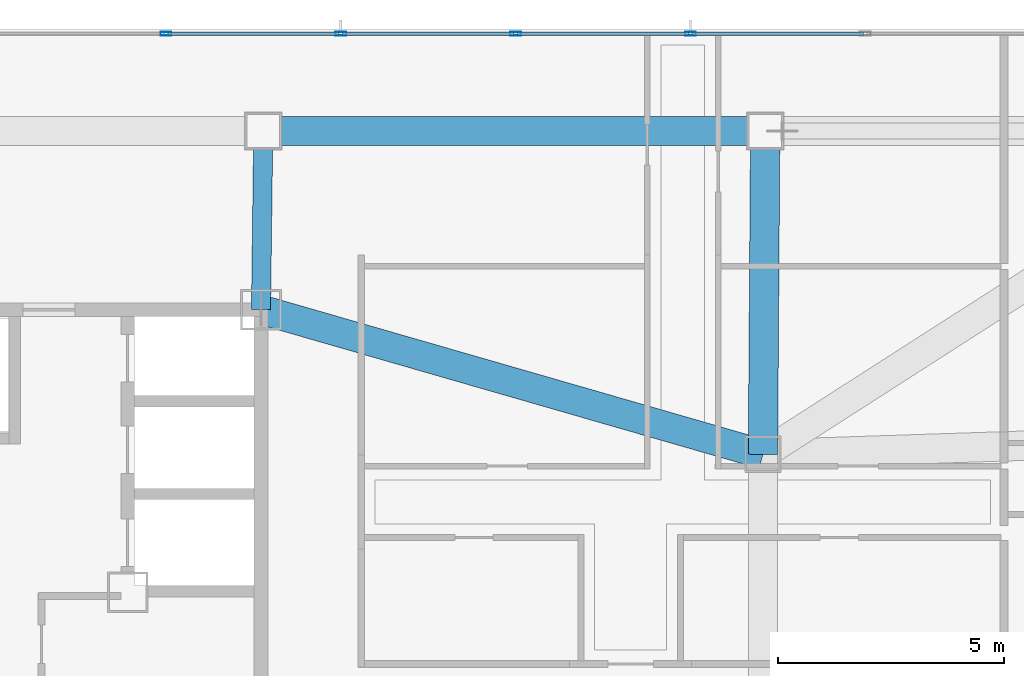
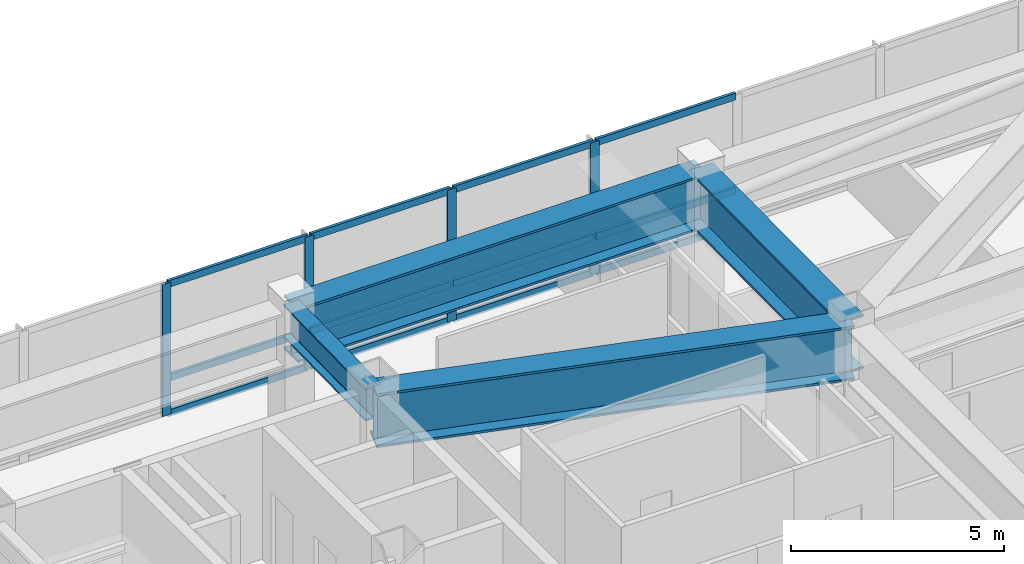
# One storey, part 4 of 16: 16 members, 4 beams, 1 element without a shape of its own.
"""IFC4 building model written with IfcOpenShell, lengths in metres."""

from ifc_helpers import new_model, si_unit, direction, frame, origin, origin_2d, place, context, subcontext, project, spatial, hollow_rectangle, i_section, extrude, material, material_profile, profile_set, type_object, element, aggregate, save


model = new_model("IFC4")

# Units and contexts
model_context = context("Model", 3, precision=1e-05, world=origin(), true_north=direction((0.0, 1.0)))
body_context = subcontext(model_context, "Body", "Model", "MODEL_VIEW")
ifc_project = project(units=[si_unit("LENGTHUNIT", "METRE"), si_unit("AREAUNIT", "SQUARE_METRE"), si_unit("VOLUMEUNIT", "CUBIC_METRE"), si_unit("PLANEANGLEUNIT", "RADIAN"), si_unit("MASSUNIT", "GRAM", prefix="KILO")], contexts=[model_context])

# Site, building, storey
site_placement = place(None, origin())
site = spatial("IfcSite", under=ifc_project, at=site_placement, CompositionType="ELEMENT")
building_placement = place(site_placement, origin())
building = spatial("IfcBuilding", under=site, at=building_placement, Name="Khamvora Tower", CompositionType="ELEMENT")
storey_placement = place(building_placement, frame((0.0, 0.0, 273.64990234375)))
storey = spatial("IfcBuildingStorey", under=building, at=storey_placement, Name="L70", CompositionType="ELEMENT", Elevation=273.64990234375)

# Beams
ifc_material_1 = material(Name="Steel S460", Category="steel")
ifc_material_profile_1 = material_profile(ifc_material_1, i_section(OverallWidth=0.64990234375, OverallDepth=1.550048828125, WebThickness=0.0400390625, FlangeThickness=0.06494140625, at=origin_2d()), Name="PG1550x650x40x65")
ifc_profile_set_1 = profile_set([ifc_material_profile_1], Name="Steel S460")
beam_type_1 = type_object("IfcBeamType", Name="BM-TG-PG1800", PredefinedType="BEAM", material=ifc_profile_set_1)
beam_1_placement = place(storey_placement, frame((50.550048828125, 40.949951171875, 3.005126953125), z_axis=(-1.0, 0.0, 0.0), x_axis=(0.0, -1.0, 0.0)))
element("IfcBeam", 1, at=beam_1_placement, inside=storey, type_object=beam_type_1, Name="L70 perimeter spandrel beam N3-N2", PredefinedType="BEAM", context=body_context, shape_type="SweptSolid", body=[
    extrude(i_section(OverallWidth=0.64990234375, OverallDepth=1.550048828125, WebThickness=0.0400390625, FlangeThickness=0.06494140625, at=origin_2d()), origin(), (0.0, 0.0, 1.0), 11.10009765625),
])
beam_2_placement = place(storey_placement, frame((50.5, 33.800048828125, 3.005126953125), z_axis=(0.006999760219, 0.999975501378, 0.0), x_axis=(-0.999975501378, 0.006999760219, 0.0)))
element("IfcBeam", 2, at=beam_2_placement, inside=storey, type_object=beam_type_1, Name="L70 primary floor girder N3", PredefinedType="BEAM", context=body_context, shape_type="SweptSolid", body=[
    extrude(i_section(OverallWidth=0.64990234375, OverallDepth=1.550048828125, WebThickness=0.0400390625, FlangeThickness=0.06494140625, at=origin_2d()), origin(), (0.0, 0.0, 1.0), 7.150146484375),
])
beam_3_placement = place(storey_placement, frame((39.39990234375, 37.0, 3.005126953125), z_axis=(0.960869684076, -0.277000812677, 0.0), x_axis=(0.277000812677, 0.960869684076, 0.0)))
element("IfcBeam", 3, at=beam_3_placement, inside=storey, type_object=beam_type_1, Name="L70 primary floor girder M2", PredefinedType="BEAM", context=body_context, shape_type="SweptSolid", body=[
    extrude(i_section(OverallWidth=0.64990234375, OverallDepth=1.550048828125, WebThickness=0.0400390625, FlangeThickness=0.06494140625, at=origin_2d()), origin(), (0.0, 0.0, 1.0), 11.55224609375),
])
ifc_material_profile_2 = material_profile(ifc_material_1, i_section(OverallWidth=0.423095703125, OverallDepth=0.93310546875, WebThickness=0.02392578125, FlangeThickness=0.04296875, FilletRadius=0.02001953125, at=origin_2d()), Name="W920x446")
ifc_profile_set_2 = profile_set([ifc_material_profile_2], Name="Steel S460")
beam_type_2 = type_object("IfcBeamType", Name="BM-TL-900", PredefinedType="BEAM", material=ifc_profile_set_2)
beam_4_placement = place(storey_placement, frame((39.39990234375, 37.0, 3.314208984375), z_axis=(0.012669729021, 0.999919735762, 0.0), x_axis=(-0.999919735762, 0.012669729021, 0.0)))
element("IfcBeam", 4, at=beam_4_placement, inside=storey, type_object=beam_type_2, Name="L70 primary floor girder N2", PredefinedType="BEAM", context=body_context, shape_type="SweptSolid", body=[
    extrude(i_section(OverallWidth=0.423095703125, OverallDepth=0.93310546875, WebThickness=0.02392578125, FlangeThickness=0.04296875, FilletRadius=0.02001953125, at=origin_2d()), origin(), (0.0, 0.0, 1.0), 3.9501953125),
])

# Curtain wall, members
ifc_material_2 = material(Name="Anodised Aluminium 6063-T6", Category="aluminium")
curtain_wall_type = type_object("IfcCurtainWallType", Name="CW-SYS-06", PredefinedType="NOTDEFINED", material=ifc_material_2)
curtain_wall_placement = place(storey_placement, origin())
curtain_wall = element("IfcCurtainWall", 5, at=curtain_wall_placement, inside=storey, type_object=curtain_wall_type, Name="L70 stick curtain wall 07.1", PredefinedType="NOTDEFINED")
ifc_material_profile_3 = material_profile(ifc_material_2, hollow_rectangle(XDim=0.080078125, YDim=0.239990234375, WallThickness=0.0048828125, at=origin_2d()), Name="MUL80x240x5")
ifc_profile_set_3 = profile_set([ifc_material_profile_3], Name="Anodised Aluminium 6063-T6")
member_type_1 = type_object("IfcMemberType", Name="CW-SYS-06-MUL", PredefinedType="MULLION", material=ifc_profile_set_3)
member_1_placement = place(storey_placement, frame((37.299072265625, 43.10009765625, 0.0), z_axis=(0.0, 0.0, 1.0), x_axis=(0.0, 1.0, 0.0)))
member_1 = element("IfcMember", 6, at=member_1_placement, type_object=member_type_1, Name="CW-06 mullion 4", PredefinedType="MULLION", context=body_context, shape_type="SweptSolid", body=[
    extrude(hollow_rectangle(XDim=0.080078125, YDim=0.239990234375, WallThickness=0.0048828125, at=origin_2d()), origin(), (0.0, 0.0, 1.0), 3.780029296875),
])
member_2_placement = place(storey_placement, frame((41.164794921875, 43.10009765625, 0.0), z_axis=(0.0, 0.0, 1.0), x_axis=(0.0, 1.0, 0.0)))
member_2 = element("IfcMember", 7, at=member_2_placement, type_object=member_type_1, Name="CW-06 mullion 5", PredefinedType="MULLION", context=body_context, shape_type="SweptSolid", body=[
    extrude(hollow_rectangle(XDim=0.080078125, YDim=0.239990234375, WallThickness=0.0048828125, at=origin_2d()), origin(), (0.0, 0.0, 1.0), 3.780029296875),
])
member_3_placement = place(storey_placement, frame((45.030517578125, 43.10009765625, 0.0), z_axis=(0.0, 0.0, 1.0), x_axis=(0.0, 1.0, 0.0)))
member_3 = element("IfcMember", 8, at=member_3_placement, type_object=member_type_1, Name="CW-06 mullion 6", PredefinedType="MULLION", context=body_context, shape_type="SweptSolid", body=[
    extrude(hollow_rectangle(XDim=0.080078125, YDim=0.239990234375, WallThickness=0.0048828125, at=origin_2d()), origin(), (0.0, 0.0, 1.0), 3.780029296875),
])
member_4_placement = place(storey_placement, frame((48.896240234375, 43.10009765625, 0.0), z_axis=(0.0, 0.0, 1.0), x_axis=(0.0, 1.0, 0.0)))
member_4 = element("IfcMember", 9, at=member_4_placement, type_object=member_type_1, Name="CW-06 mullion 7", PredefinedType="MULLION", context=body_context, shape_type="SweptSolid", body=[
    extrude(hollow_rectangle(XDim=0.080078125, YDim=0.239990234375, WallThickness=0.0048828125, at=origin_2d()), origin(), (0.0, 0.0, 1.0), 3.780029296875),
])
ifc_material_profile_4 = material_profile(ifc_material_2, hollow_rectangle(XDim=0.080078125, YDim=0.195068359375, WallThickness=0.0048828125, at=origin_2d()), Name="TRN80x195x5")
ifc_profile_set_4 = profile_set([ifc_material_profile_4], Name="Anodised Aluminium 6063-T6")
member_type_2 = type_object("IfcMemberType", Name="CW-SYS-06-TRN", PredefinedType="USERDEFINED", material=ifc_profile_set_4)
member_5_placement = place(storey_placement, frame((37.339111328125, 43.10009765625, 0.0400390625), z_axis=(1.0, 0.0, 0.0), x_axis=(0.0, 1.0, 0.0)))
member_5 = element("IfcMember", 10, at=member_5_placement, type_object=member_type_2, Name="CW-06 transom 4.1", ObjectType="TRANSOM", PredefinedType="USERDEFINED", context=body_context, shape_type="SweptSolid", body=[
    extrude(hollow_rectangle(XDim=0.080078125, YDim=0.195068359375, WallThickness=0.0048828125, at=origin_2d()), origin(), (0.0, 0.0, 1.0), 3.78564453125),
])
member_6_placement = place(storey_placement, frame((37.339111328125, 43.10009765625, 1.050048828125), z_axis=(1.0, 0.0, 0.0), x_axis=(0.0, 1.0, 0.0)))
member_6 = element("IfcMember", 11, at=member_6_placement, type_object=member_type_2, Name="CW-06 transom 4.2", ObjectType="TRANSOM", PredefinedType="USERDEFINED", context=body_context, shape_type="SweptSolid", body=[
    extrude(hollow_rectangle(XDim=0.080078125, YDim=0.195068359375, WallThickness=0.0048828125, at=origin_2d()), origin(), (0.0, 0.0, 1.0), 3.78564453125),
])
member_7_placement = place(storey_placement, frame((37.339111328125, 43.10009765625, 3.739990234375), z_axis=(1.0, 0.0, 0.0), x_axis=(0.0, 1.0, 0.0)))
member_7 = element("IfcMember", 12, at=member_7_placement, type_object=member_type_2, Name="CW-06 transom 4.3", ObjectType="TRANSOM", PredefinedType="USERDEFINED", context=body_context, shape_type="SweptSolid", body=[
    extrude(hollow_rectangle(XDim=0.080078125, YDim=0.195068359375, WallThickness=0.0048828125, at=origin_2d()), origin(), (0.0, 0.0, 1.0), 3.78564453125),
])
member_8_placement = place(storey_placement, frame((41.204833984375, 43.10009765625, 0.0400390625), z_axis=(1.0, 0.0, 0.0), x_axis=(0.0, 1.0, 0.0)))
member_8 = element("IfcMember", 13, at=member_8_placement, type_object=member_type_2, Name="CW-06 transom 5.1", ObjectType="TRANSOM", PredefinedType="USERDEFINED", context=body_context, shape_type="SweptSolid", body=[
    extrude(hollow_rectangle(XDim=0.080078125, YDim=0.195068359375, WallThickness=0.0048828125, at=origin_2d()), origin(), (0.0, 0.0, 1.0), 3.78564453125),
])
member_9_placement = place(storey_placement, frame((41.204833984375, 43.10009765625, 1.050048828125), z_axis=(1.0, 0.0, 0.0), x_axis=(0.0, 1.0, 0.0)))
member_9 = element("IfcMember", 14, at=member_9_placement, type_object=member_type_2, Name="CW-06 transom 5.2", ObjectType="TRANSOM", PredefinedType="USERDEFINED", context=body_context, shape_type="SweptSolid", body=[
    extrude(hollow_rectangle(XDim=0.080078125, YDim=0.195068359375, WallThickness=0.0048828125, at=origin_2d()), origin(), (0.0, 0.0, 1.0), 3.78564453125),
])
member_10_placement = place(storey_placement, frame((41.204833984375, 43.10009765625, 3.739990234375), z_axis=(1.0, 0.0, 0.0), x_axis=(0.0, 1.0, 0.0)))
member_10 = element("IfcMember", 15, at=member_10_placement, type_object=member_type_2, Name="CW-06 transom 5.3", ObjectType="TRANSOM", PredefinedType="USERDEFINED", context=body_context, shape_type="SweptSolid", body=[
    extrude(hollow_rectangle(XDim=0.080078125, YDim=0.195068359375, WallThickness=0.0048828125, at=origin_2d()), origin(), (0.0, 0.0, 1.0), 3.78564453125),
])
member_11_placement = place(storey_placement, frame((45.070556640625, 43.10009765625, 0.0400390625), z_axis=(1.0, 0.0, 0.0), x_axis=(0.0, 1.0, 0.0)))
member_11 = element("IfcMember", 16, at=member_11_placement, type_object=member_type_2, Name="CW-06 transom 6.1", ObjectType="TRANSOM", PredefinedType="USERDEFINED", context=body_context, shape_type="SweptSolid", body=[
    extrude(hollow_rectangle(XDim=0.080078125, YDim=0.195068359375, WallThickness=0.0048828125, at=origin_2d()), origin(), (0.0, 0.0, 1.0), 3.78564453125),
])
member_12_placement = place(storey_placement, frame((45.070556640625, 43.10009765625, 1.050048828125), z_axis=(1.0, 0.0, 0.0), x_axis=(0.0, 1.0, 0.0)))
member_12 = element("IfcMember", 17, at=member_12_placement, type_object=member_type_2, Name="CW-06 transom 6.2", ObjectType="TRANSOM", PredefinedType="USERDEFINED", context=body_context, shape_type="SweptSolid", body=[
    extrude(hollow_rectangle(XDim=0.080078125, YDim=0.195068359375, WallThickness=0.0048828125, at=origin_2d()), origin(), (0.0, 0.0, 1.0), 3.78564453125),
])
member_13_placement = place(storey_placement, frame((45.070556640625, 43.10009765625, 3.739990234375), z_axis=(1.0, 0.0, 0.0), x_axis=(0.0, 1.0, 0.0)))
member_13 = element("IfcMember", 18, at=member_13_placement, type_object=member_type_2, Name="CW-06 transom 6.3", ObjectType="TRANSOM", PredefinedType="USERDEFINED", context=body_context, shape_type="SweptSolid", body=[
    extrude(hollow_rectangle(XDim=0.080078125, YDim=0.195068359375, WallThickness=0.0048828125, at=origin_2d()), origin(), (0.0, 0.0, 1.0), 3.78564453125),
])
member_14_placement = place(storey_placement, frame((48.936279296875, 43.10009765625, 0.0400390625), z_axis=(1.0, 0.0, 0.0), x_axis=(0.0, 1.0, 0.0)))
member_14 = element("IfcMember", 19, at=member_14_placement, type_object=member_type_2, Name="CW-06 transom 7.1", ObjectType="TRANSOM", PredefinedType="USERDEFINED", context=body_context, shape_type="SweptSolid", body=[
    extrude(hollow_rectangle(XDim=0.080078125, YDim=0.195068359375, WallThickness=0.0048828125, at=origin_2d()), origin(), (0.0, 0.0, 1.0), 3.78564453125),
])
member_15_placement = place(storey_placement, frame((48.936279296875, 43.10009765625, 1.050048828125), z_axis=(1.0, 0.0, 0.0), x_axis=(0.0, 1.0, 0.0)))
member_15 = element("IfcMember", 20, at=member_15_placement, type_object=member_type_2, Name="CW-06 transom 7.2", ObjectType="TRANSOM", PredefinedType="USERDEFINED", context=body_context, shape_type="SweptSolid", body=[
    extrude(hollow_rectangle(XDim=0.080078125, YDim=0.195068359375, WallThickness=0.0048828125, at=origin_2d()), origin(), (0.0, 0.0, 1.0), 3.78564453125),
])
member_16_placement = place(storey_placement, frame((48.936279296875, 43.10009765625, 3.739990234375), z_axis=(1.0, 0.0, 0.0), x_axis=(0.0, 1.0, 0.0)))
member_16 = element("IfcMember", 21, at=member_16_placement, type_object=member_type_2, Name="CW-06 transom 7.3", ObjectType="TRANSOM", PredefinedType="USERDEFINED", context=body_context, shape_type="SweptSolid", body=[
    extrude(hollow_rectangle(XDim=0.080078125, YDim=0.195068359375, WallThickness=0.0048828125, at=origin_2d()), origin(), (0.0, 0.0, 1.0), 3.78564453125),
])
aggregate(curtain_wall, [member_1, member_2, member_3, member_4, member_5, member_6, member_7, member_8, member_9, member_10, member_11, member_12, member_13, member_14, member_15, member_16])

save(model, "model.ifc")
